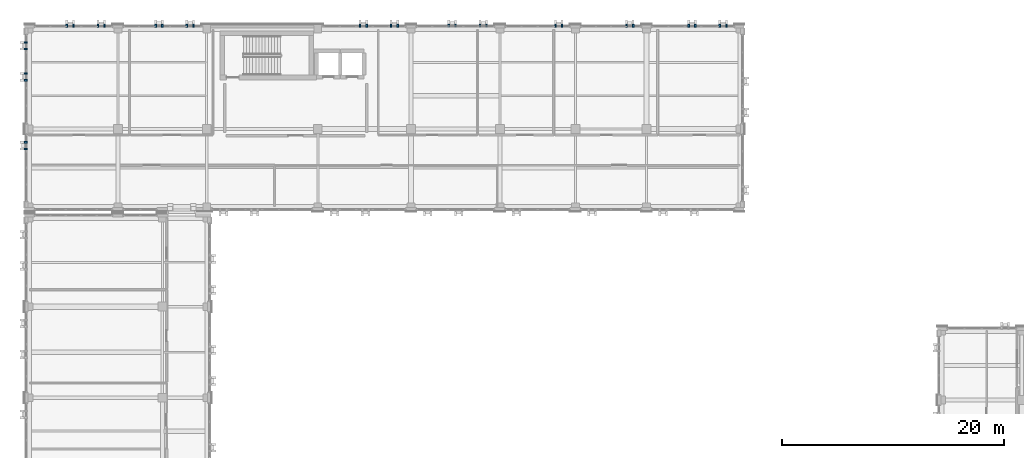
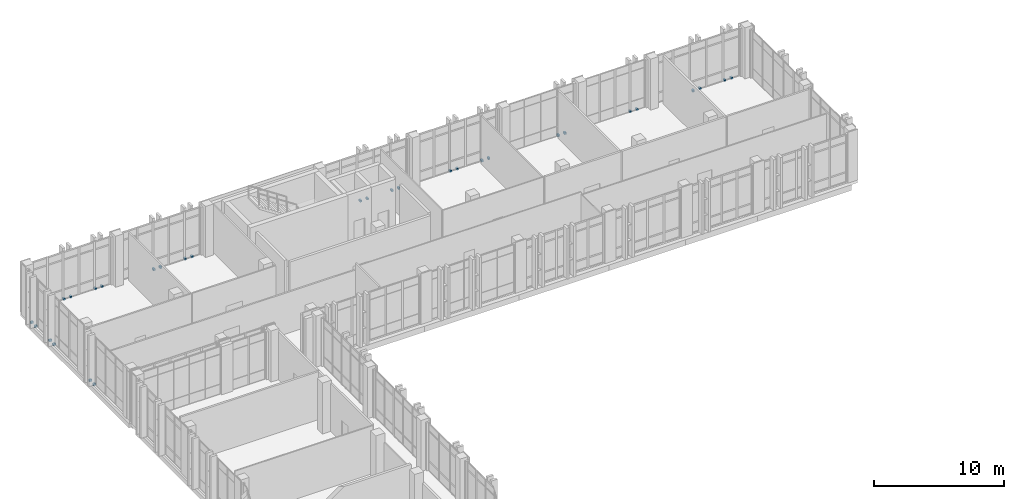
# One storey, part 166 of 189: 30 discrete accessories.
"""IFC4 building model written with IfcOpenShell, lengths in metres."""

from ifc_helpers import new_model, si_unit, direction, frame, origin, origin_2d, place, context, subcontext, project, spatial, rectangle, extrude, material, type_object, element, save


model = new_model("IFC4")

# Units and contexts
model_context = context("Model", 3, precision=1e-05, world=origin(), true_north=direction((0.0, 1.0)))
body_context = subcontext(model_context, "Body", "Model", "MODEL_VIEW")
ifc_project = project(units=[si_unit("LENGTHUNIT", "METRE"), si_unit("AREAUNIT", "SQUARE_METRE"), si_unit("VOLUMEUNIT", "CUBIC_METRE"), si_unit("PLANEANGLEUNIT", "RADIAN"), si_unit("MASSUNIT", "GRAM", prefix="KILO")], contexts=[model_context])

# Site, building, storey
site_placement = place(None, origin())
site = spatial("IfcSite", under=ifc_project, at=site_placement, CompositionType="ELEMENT")
building_placement = place(site_placement, origin())
building = spatial("IfcBuilding", under=site, at=building_placement, Name="Qalavern Law Courts", CompositionType="ELEMENT")
storey_placement = place(building_placement, frame((0.0, 0.0, 5.39990234375)))
storey = spatial("IfcBuildingStorey", under=building, at=storey_placement, Name="L01", CompositionType="ELEMENT", Elevation=5.39990234375)

# Discrete accessories
ifc_material = material(Name="Steel S355", Category="steel")
discrete_accessory_type = type_object("IfcDiscreteAccessoryType", Name="ENV-BRK-FIN", PredefinedType="BRACKET", material=ifc_material)
for number, where, z_axis, x_axis, name in (
    (1, (65.199951171875, 112.8974609375, -0.06982421875), (0.0, 0.0, 1.0), (0.0, 1.0, 0.0), "Stone blade anchor bracket 0923"),
    (2, (64.60009765625, 112.8974609375, -0.06982421875), (0.0, 0.0, 1.0), (0.0, 1.0, 0.0), "Stone blade anchor bracket 0924"),
    (3, (62.39990234375, 112.8974609375, -0.06982421875), (0.0, 0.0, 1.0), (0.0, 1.0, 0.0), "Stone blade anchor bracket 0925"),
    (4, (61.800048828125, 112.8974609375, -0.06982421875), (0.0, 0.0, 1.0), (0.0, 1.0, 0.0), "Stone blade anchor bracket 0926"),
    (5, (56.800048828125, 112.8974609375, -0.06982421875), (0.0, 0.0, 1.0), (0.0, 1.0, 0.0), "Stone blade anchor bracket 0927"),
    (6, (56.199951171875, 112.8974609375, -0.06982421875), (0.0, 0.0, 1.0), (0.0, 1.0, 0.0), "Stone blade anchor bracket 0928"),
    (7, (50.39990234375, 112.8974609375, -0.06982421875), (0.0, 0.0, 1.0), (0.0, 1.0, 0.0), "Stone blade anchor bracket 0929"),
    (8, (49.800048828125, 112.8974609375, -0.06982421875), (0.0, 0.0, 1.0), (0.0, 1.0, 0.0), "Stone blade anchor bracket 0930"),
    (9, (43.60009765625, 112.8974609375, -0.06982421875), (0.0, 0.0, 1.0), (0.0, 1.0, 0.0), "Stone blade anchor bracket 0931"),
    (10, (43.0, 112.8974609375, -0.06982421875), (0.0, 0.0, 1.0), (0.0, 1.0, 0.0), "Stone blade anchor bracket 0932"),
    (11, (40.800048828125, 112.8974609375, -0.06982421875), (0.0, 0.0, 1.0), (0.0, 1.0, 0.0), "Stone blade anchor bracket 0933"),
    (12, (40.199951171875, 112.8974609375, -0.06982421875), (0.0, 0.0, 1.0), (0.0, 1.0, 0.0), "Stone blade anchor bracket 0934"),
    (13, (35.60009765625, 112.8974609375, -0.06982421875), (0.0, 0.0, 1.0), (0.0, 1.0, 0.0), "Stone blade anchor bracket 0935"),
    (14, (35.0, 112.8974609375, -0.06982421875), (0.0, 0.0, 1.0), (0.0, 1.0, 0.0), "Stone blade anchor bracket 0936"),
    (15, (32.800048828125, 112.8974609375, -0.06982421875), (0.0, 0.0, 1.0), (0.0, 1.0, 0.0), "Stone blade anchor bracket 0937"),
    (16, (32.199951171875, 112.8974609375, -0.06982421875), (0.0, 0.0, 1.0), (0.0, 1.0, 0.0), "Stone blade anchor bracket 0938"),
    (17, (17.199951171875, 112.8974609375, -0.06982421875), (0.0, 0.0, 1.0), (0.0, 1.0, 0.0), "Stone blade anchor bracket 0939"),
    (18, (16.60009765625, 112.8974609375, -0.06982421875), (0.0, 0.0, 1.0), (0.0, 1.0, 0.0), "Stone blade anchor bracket 0940"),
    (19, (14.39990234375, 112.8974609375, -0.06982421875), (0.0, 0.0, 1.0), (0.0, 1.0, 0.0), "Stone blade anchor bracket 0941"),
    (20, (13.800048828125, 112.8974609375, -0.06982421875), (0.0, 0.0, 1.0), (0.0, 1.0, 0.0), "Stone blade anchor bracket 0942"),
    (21, (9.199951171875, 112.8974609375, -0.06982421875), (0.0, 0.0, 1.0), (0.0, 1.0, 0.0), "Stone blade anchor bracket 0943"),
    (22, (8.60009765625, 112.8974609375, -0.06982421875), (0.0, 0.0, 1.0), (0.0, 1.0, 0.0), "Stone blade anchor bracket 0944"),
    (23, (6.39990234375, 112.8974609375, -0.06982421875), (0.0, 0.0, 1.0), (0.0, 1.0, 0.0), "Stone blade anchor bracket 0945"),
    (24, (5.800048828125, 112.8974609375, -0.06982421875), (0.0, 0.0, 1.0), (0.0, 1.0, 0.0), "Stone blade anchor bracket 0946"),
    (25, (2.1025390625, 111.39990234375, -0.06982421875), (0.0, 0.0, 1.0), (-1.0, 0.0, 0.0), "Stone blade anchor bracket 0947"),
    (26, (2.1025390625, 110.800048828125, -0.06982421875), (0.0, 0.0, 1.0), (-1.0, 0.0, 0.0), "Stone blade anchor bracket 0948"),
    (27, (2.1025390625, 108.60009765625, -0.06982421875), (0.0, 0.0, 1.0), (-1.0, 0.0, 0.0), "Stone blade anchor bracket 0949"),
    (28, (2.1025390625, 108.0, -0.06982421875), (0.0, 0.0, 1.0), (-1.0, 0.0, 0.0), "Stone blade anchor bracket 0950"),
    (29, (2.1025390625, 102.39990234375, -0.06982421875), (0.0, 0.0, 1.0), (-1.0, 0.0, 0.0), "Stone blade anchor bracket 0951"),
    (30, (2.1025390625, 101.800048828125, -0.06982421875), (0.0, 0.0, 1.0), (-1.0, 0.0, 0.0), "Stone blade anchor bracket 0952"),
):
    element("IfcDiscreteAccessory", number, at=place(storey_placement, frame(where, z_axis=z_axis, x_axis=x_axis)), inside=storey, type_object=discrete_accessory_type, Name=name, PredefinedType="BRACKET", context=body_context, shape_type="SweptSolid", body=[
        extrude(rectangle(XDim=0.239990234375, YDim=0.159912109375, at=origin_2d()), origin(), (0.0, 0.0, 1.0), 0.179931640625),
    ])

save(model, "model.ifc")
